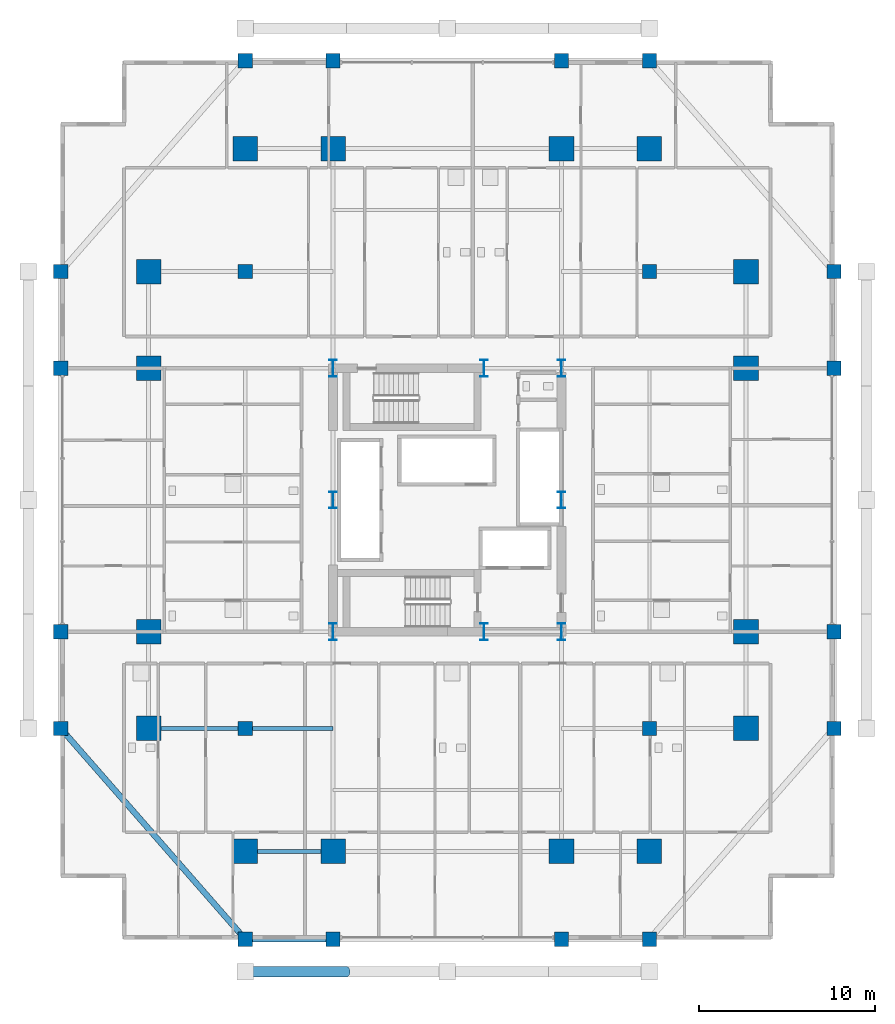
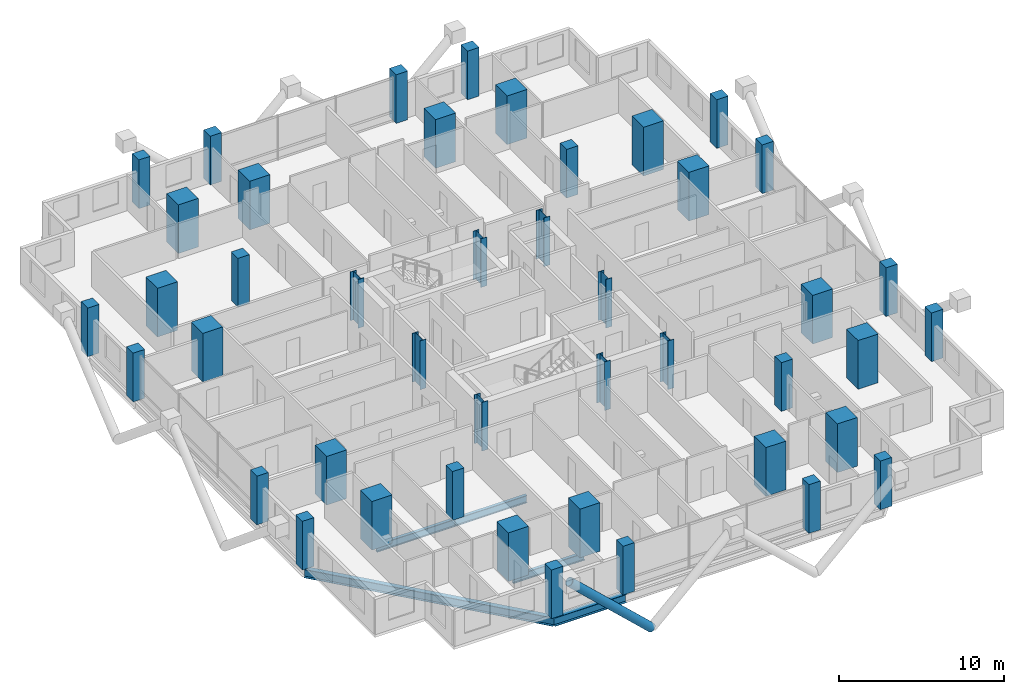
# One storey, part 1 of 24: 44 columns, 5 beams, 1 member.
"""IFC4 building model written with IfcOpenShell, lengths in metres."""

from ifc_helpers import new_model, si_unit, direction, frame, origin, origin_2d, place, context, subcontext, project, spatial, rectangle, hollow_circle, i_section, extrude, material, material_profile, profile_set, type_object, element, save


model = new_model("IFC4")

# Units and contexts
model_context = context("Model", 3, precision=1e-05, world=origin(), true_north=direction((0.0, 1.0)))
body_context = subcontext(model_context, "Body", "Model", "MODEL_VIEW")
ifc_project = project(units=[si_unit("LENGTHUNIT", "METRE"), si_unit("AREAUNIT", "SQUARE_METRE"), si_unit("VOLUMEUNIT", "CUBIC_METRE"), si_unit("PLANEANGLEUNIT", "RADIAN"), si_unit("MASSUNIT", "GRAM", prefix="KILO")], contexts=[model_context])

# Site, building, storey
site_placement = place(None, origin())
site = spatial("IfcSite", under=ifc_project, at=site_placement, CompositionType="ELEMENT")
building_placement = place(site_placement, origin())
building = spatial("IfcBuilding", under=site, at=building_placement, Name="Barlavira Tower and Art Museum", CompositionType="ELEMENT")
storey_placement = place(building_placement, frame((0.0, 0.0, 90.0)))
storey = spatial("IfcBuildingStorey", under=building, at=storey_placement, Name="L22", CompositionType="ELEMENT", Elevation=90.0)

# Columns
ifc_material_1 = material(Name="Steel S355", Category="steel")
ifc_material_profile_1 = material_profile(ifc_material_1, i_section(OverallWidth=0.419921875, OverallDepth=0.9599609375, WebThickness=0.02197265625, FlangeThickness=0.033935546875, at=origin_2d()), Name="W920x387.0")
ifc_profile_set_1 = profile_set([ifc_material_profile_1], Name="Steel S355")
column_type_1 = type_object("IfcColumnType", Name="Core Composite Column W920x387 Steel S355", PredefinedType="COLUMN", material=ifc_profile_set_1)
for number, where, z_axis, x_axis, name in (
    (1, (-6.5, -7.5, 0.0), (0.0, 0.0, 1.0), (1.0, 0.0, 0.0), "L22 Column CC-L22-C1"),
    (2, (2.080078125, -7.5, 0.0), (0.0, 0.0, 1.0), (1.0, 0.0, 0.0), "L22 Column CC-L22-C2"),
    (3, (6.5, -7.5, 0.0), (0.0, 0.0, 1.0), (1.0, 0.0, 0.0), "L22 Column CC-L22-C3"),
    (4, (-6.5, 0.0, 0.0), (0.0, 0.0, 1.0), (1.0, 0.0, 0.0), "L22 Column CC-L22-C4"),
    (5, (6.5, 0.0, 0.0), (0.0, 0.0, 1.0), (1.0, 0.0, 0.0), "L22 Column CC-L22-C5"),
    (6, (-6.5, 7.5, 0.0), (0.0, 0.0, 1.0), (1.0, 0.0, 0.0), "L22 Column CC-L22-C6"),
    (7, (2.080078125, 7.5, 0.0), (0.0, 0.0, 1.0), (1.0, 0.0, 0.0), "L22 Column CC-L22-C7"),
    (8, (6.5, 7.5, 0.0), (0.0, 0.0, 1.0), (1.0, 0.0, 0.0), "L22 Column CC-L22-C8"),
):
    element("IfcColumn", number, at=place(storey_placement, frame(where, z_axis=z_axis, x_axis=x_axis)), inside=storey, type_object=column_type_1, Name=name, PredefinedType="COLUMN", context=body_context, shape_type="SweptSolid", body=[
        extrude(i_section(OverallWidth=0.419921875, OverallDepth=0.9599609375, WebThickness=0.02197265625, FlangeThickness=0.033935546875, at=origin_2d()), origin(), (0.0, 0.0, 1.0), 3.60009765625),
    ])
ifc_material_2 = material(Name="Concrete C60", Category="concrete")
ifc_material_profile_2 = material_profile(ifc_material_2, rectangle(XDim=1.39990234375, YDim=1.39990234375, at=origin_2d()), Name="RC-MCOL 1400x1400")
ifc_profile_set_2 = profile_set([ifc_material_profile_2], Name="Concrete C60")
column_type_2 = type_object("IfcColumnType", Name="Perimeter Mega Column 1400x1400 Concrete C60", PredefinedType="USERDEFINED", material=ifc_profile_set_2)
for number, where, z_axis, x_axis, name in (
    (9, (-11.5, -20.0, 0.0), (0.0, 0.0, 1.0), (1.0, 0.0, 0.0), "L22 Column MC-L22-M01"),
    (10, (-6.5, -20.0, 0.0), (0.0, 0.0, 1.0), (1.0, 0.0, 0.0), "L22 Column MC-L22-M02"),
    (11, (6.5, -20.0, 0.0), (0.0, 0.0, 1.0), (1.0, 0.0, 0.0), "L22 Column MC-L22-M03"),
    (12, (11.5, -20.0, 0.0), (0.0, 0.0, 1.0), (1.0, 0.0, 0.0), "L22 Column MC-L22-M04"),
    (13, (17.0, -13.0, 0.0), (0.0, 0.0, 1.0), (1.0, 0.0, 0.0), "L22 Column MC-L22-M05"),
    (14, (17.0, -7.5, 0.0), (0.0, 0.0, 1.0), (1.0, 0.0, 0.0), "L22 Column MC-L22-M06"),
    (15, (17.0, 7.5, 0.0), (0.0, 0.0, 1.0), (1.0, 0.0, 0.0), "L22 Column MC-L22-M07"),
    (16, (17.0, 13.0, 0.0), (0.0, 0.0, 1.0), (1.0, 0.0, 0.0), "L22 Column MC-L22-M08"),
    (17, (11.5, 20.0, 0.0), (0.0, 0.0, 1.0), (1.0, 0.0, 0.0), "L22 Column MC-L22-M09"),
    (18, (6.5, 20.0, 0.0), (0.0, 0.0, 1.0), (1.0, 0.0, 0.0), "L22 Column MC-L22-M10"),
    (19, (-6.5, 20.0, 0.0), (0.0, 0.0, 1.0), (1.0, 0.0, 0.0), "L22 Column MC-L22-M11"),
    (20, (-11.5, 20.0, 0.0), (0.0, 0.0, 1.0), (1.0, 0.0, 0.0), "L22 Column MC-L22-M12"),
    (21, (-17.0, 13.0, 0.0), (0.0, 0.0, 1.0), (1.0, 0.0, 0.0), "L22 Column MC-L22-M13"),
    (22, (-17.0, 7.5, 0.0), (0.0, 0.0, 1.0), (1.0, 0.0, 0.0), "L22 Column MC-L22-M14"),
    (23, (-17.0, -7.5, 0.0), (0.0, 0.0, 1.0), (1.0, 0.0, 0.0), "L22 Column MC-L22-M15"),
    (24, (-17.0, -13.0, 0.0), (0.0, 0.0, 1.0), (1.0, 0.0, 0.0), "L22 Column MC-L22-M16"),
):
    element("IfcColumn", number, at=place(storey_placement, frame(where, z_axis=z_axis, x_axis=x_axis)), inside=storey, type_object=column_type_2, Name=name, ObjectType="MEGA COLUMN", PredefinedType="USERDEFINED", context=body_context, shape_type="SweptSolid", body=[
        extrude(rectangle(XDim=1.39990234375, YDim=1.39990234375, at=origin_2d()), origin(), (0.0, 0.0, 1.0), 3.60009765625),
    ])
ifc_material_3 = material(Name="Concrete C50", Category="concrete")
ifc_material_profile_3 = material_profile(ifc_material_3, rectangle(XDim=0.800048828125, YDim=0.800048828125, at=origin_2d()), Name="RC-COL 800x800")
ifc_profile_set_3 = profile_set([ifc_material_profile_3], Name="Concrete C50")
column_type_3 = type_object("IfcColumnType", Name="Podium Frame Column 800x800 Concrete C50", PredefinedType="COLUMN", material=ifc_profile_set_3)
for number, where, z_axis, x_axis, name in (
    (25, (-11.5, -13.0, 0.0), (0.0, 0.0, 1.0), (1.0, 0.0, 0.0), "L22 Column CI-L22-I1"),
    (26, (11.5, -13.0, 0.0), (0.0, 0.0, 1.0), (1.0, 0.0, 0.0), "L22 Column CI-L22-I2"),
    (27, (-11.5, 13.0, 0.0), (0.0, 0.0, 1.0), (1.0, 0.0, 0.0), "L22 Column CI-L22-I3"),
    (28, (11.5, 13.0, 0.0), (0.0, 0.0, 1.0), (1.0, 0.0, 0.0), "L22 Column CI-L22-I4"),
    (29, (-11.5, -25.0, 0.0), (0.0, 0.0, 1.0), (1.0, 0.0, 0.0), "L22 Column CZ1-L22-N01"),
    (30, (-6.5, -25.0, 0.0), (0.0, 0.0, 1.0), (1.0, 0.0, 0.0), "L22 Column CZ1-L22-N02"),
    (31, (6.5, -25.0, 0.0), (0.0, 0.0, 1.0), (1.0, 0.0, 0.0), "L22 Column CZ1-L22-N02B"),
    (32, (11.5, -25.0, 0.0), (0.0, 0.0, 1.0), (1.0, 0.0, 0.0), "L22 Column CZ1-L22-N03"),
    (33, (-22.0, -13.0, 0.0), (0.0, 0.0, 1.0), (1.0, 0.0, 0.0), "L22 Column CZ1-L22-N04"),
    (34, (-22.0, -7.5, 0.0), (0.0, 0.0, 1.0), (1.0, 0.0, 0.0), "L22 Column CZ1-L22-N05"),
    (35, (-22.0, 7.5, 0.0), (0.0, 0.0, 1.0), (1.0, 0.0, 0.0), "L22 Column CZ1-L22-N05B"),
    (36, (-22.0, 13.0, 0.0), (0.0, 0.0, 1.0), (1.0, 0.0, 0.0), "L22 Column CZ1-L22-N06"),
    (37, (-11.5, 25.0, 0.0), (0.0, 0.0, 1.0), (1.0, 0.0, 0.0), "L22 Column CZ1-L22-N07"),
    (38, (-6.5, 25.0, 0.0), (0.0, 0.0, 1.0), (1.0, 0.0, 0.0), "L22 Column CZ1-L22-N08"),
    (39, (6.5, 25.0, 0.0), (0.0, 0.0, 1.0), (1.0, 0.0, 0.0), "L22 Column CZ1-L22-N08B"),
    (40, (11.5, 25.0, 0.0), (0.0, 0.0, 1.0), (1.0, 0.0, 0.0), "L22 Column CZ1-L22-N09"),
    (41, (22.0, -13.0, 0.0), (0.0, 0.0, 1.0), (1.0, 0.0, 0.0), "L22 Column CZ1-L22-N10"),
    (42, (22.0, -7.5, 0.0), (0.0, 0.0, 1.0), (1.0, 0.0, 0.0), "L22 Column CZ1-L22-N11"),
    (43, (22.0, 7.5, 0.0), (0.0, 0.0, 1.0), (1.0, 0.0, 0.0), "L22 Column CZ1-L22-N11B"),
    (44, (22.0, 13.0, 0.0), (0.0, 0.0, 1.0), (1.0, 0.0, 0.0), "L22 Column CZ1-L22-N12"),
):
    element("IfcColumn", number, at=place(storey_placement, frame(where, z_axis=z_axis, x_axis=x_axis)), inside=storey, type_object=column_type_3, Name=name, PredefinedType="COLUMN", context=body_context, shape_type="SweptSolid", body=[
        extrude(rectangle(XDim=0.800048828125, YDim=0.800048828125, at=origin_2d()), origin(), (0.0, 0.0, 1.0), 3.60009765625),
    ])

# Member
ifc_material_profile_4 = material_profile(ifc_material_1, hollow_circle(Radius=0.304931640625, WallThickness=0.028076171875, at=origin_2d()), Name="CHS 610.0x28.0")
ifc_profile_set_4 = profile_set([ifc_material_profile_4], Name="Steel S355")
member_type = type_object("IfcMemberType", Name="Pale-Metal Exoskeleton Diagrid Tube CHS 610x28 Steel S355", PredefinedType="BRACE", material=ifc_profile_set_4)
member_placement = place(storey_placement, frame((-5.75, -26.85009765625, -1.919921875), z_axis=(-0.728950095515, 0.0, 0.684566839869), x_axis=(0.0, -1.0, 0.0)))
element("IfcMember", 45, at=member_placement, inside=storey, type_object=member_type, Name="L22 Exoskeleton Diagrid Tube S", PredefinedType="BRACE", context=body_context, shape_type="SweptSolid", body=[
    extrude(hollow_circle(Radius=0.304931640625, WallThickness=0.028076171875, at=origin_2d()), origin(), (0.0, 0.0, 1.0), 7.887939453125),
])

# Beams
ifc_material_profile_5 = material_profile(ifc_material_1, i_section(OverallWidth=0.327880859375, OverallDepth=0.62890625, WebThickness=0.013916015625, FlangeThickness=0.021484375, at=origin_2d()), Name="W610x174.0")
ifc_profile_set_5 = profile_set([ifc_material_profile_5], Name="Steel S355")
beam_type_1 = type_object("IfcBeamType", Name="Perimeter Spandrel Edge Beam W610x174 Steel S355", PredefinedType="SPANDREL", material=ifc_profile_set_5)
beam_1_placement = place(storey_placement, frame((-11.5, -25.0, -0.534423828125), z_axis=(1.0, 0.0, 0.0), x_axis=(0.0, 1.0, 0.0)))
element("IfcBeam", 46, at=beam_1_placement, inside=storey, type_object=beam_type_1, Name="L22 Spandrel 1", PredefinedType="SPANDREL", context=body_context, shape_type="SweptSolid", body=[
    extrude(i_section(OverallWidth=0.327880859375, OverallDepth=0.62890625, WebThickness=0.013916015625, FlangeThickness=0.021484375, at=origin_2d()), origin(), (0.0, 0.0, 1.0), 5.0),
])
beam_2_placement = place(storey_placement, frame((-22.0, -13.0, -0.534423828125), z_axis=(0.658504607869, -0.752576694707, 0.0), x_axis=(0.752576694707, 0.658504607869, 0.0)))
element("IfcBeam", 47, at=beam_2_placement, inside=storey, type_object=beam_type_1, Name="L22 Spandrel 16", PredefinedType="SPANDREL", context=body_context, shape_type="SweptSolid", body=[
    extrude(i_section(OverallWidth=0.327880859375, OverallDepth=0.62890625, WebThickness=0.013916015625, FlangeThickness=0.021484375, at=origin_2d()), origin(), (0.0, 0.0, 1.0), 15.9453125),
])
ifc_material_profile_6 = material_profile(ifc_material_1, i_section(OverallWidth=0.214111328125, OverallDepth=0.549072265625, WebThickness=0.0146484375, FlangeThickness=0.023681640625, at=origin_2d()), Name="W530x138.0")
ifc_profile_set_6 = profile_set([ifc_material_profile_6], Name="Steel S355")
beam_type_2 = type_object("IfcBeamType", Name="Zone 1 Primary Floor Girder W530x138 Steel S355", PredefinedType="BEAM", material=ifc_profile_set_6)
beam_3_placement = place(storey_placement, frame((-11.5, -20.0, -0.494384765625), z_axis=(1.0, 0.0, 0.0), x_axis=(0.0, 1.0, 0.0)))
element("IfcBeam", 48, at=beam_3_placement, inside=storey, type_object=beam_type_2, Name="L22 Girder M-S1", PredefinedType="BEAM", context=body_context, shape_type="SweptSolid", body=[
    extrude(i_section(OverallWidth=0.214111328125, OverallDepth=0.549072265625, WebThickness=0.0146484375, FlangeThickness=0.023681640625, at=origin_2d()), origin(), (0.0, 0.0, 1.0), 5.0),
])
beam_4_placement = place(storey_placement, frame((-17.0, -13.0, -0.494384765625), z_axis=(1.0, 0.0, 0.0), x_axis=(0.0, 1.0, 0.0)))
element("IfcBeam", 49, at=beam_4_placement, inside=storey, type_object=beam_type_2, Name="L22 Girder I-S1", PredefinedType="BEAM", context=body_context, shape_type="SweptSolid", body=[
    extrude(i_section(OverallWidth=0.214111328125, OverallDepth=0.549072265625, WebThickness=0.0146484375, FlangeThickness=0.023681640625, at=origin_2d()), origin(), (0.0, 0.0, 1.0), 5.5),
])
beam_5_placement = place(storey_placement, frame((-11.5, -13.0, -0.494384765625), z_axis=(1.0, 0.0, 0.0), x_axis=(0.0, 1.0, 0.0)))
element("IfcBeam", 50, at=beam_5_placement, inside=storey, type_object=beam_type_2, Name="L22 Girder I-S2", PredefinedType="BEAM", context=body_context, shape_type="SweptSolid", body=[
    extrude(i_section(OverallWidth=0.214111328125, OverallDepth=0.549072265625, WebThickness=0.0146484375, FlangeThickness=0.023681640625, at=origin_2d()), origin(), (0.0, 0.0, 1.0), 5.0),
])

save(model, "model.ifc")
